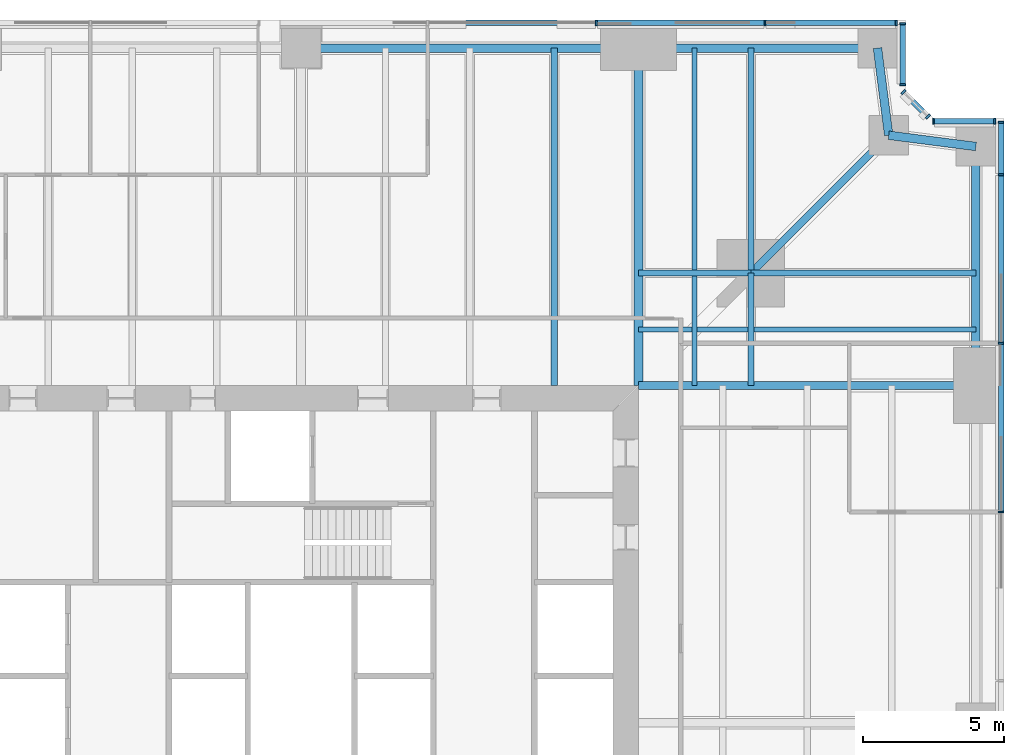
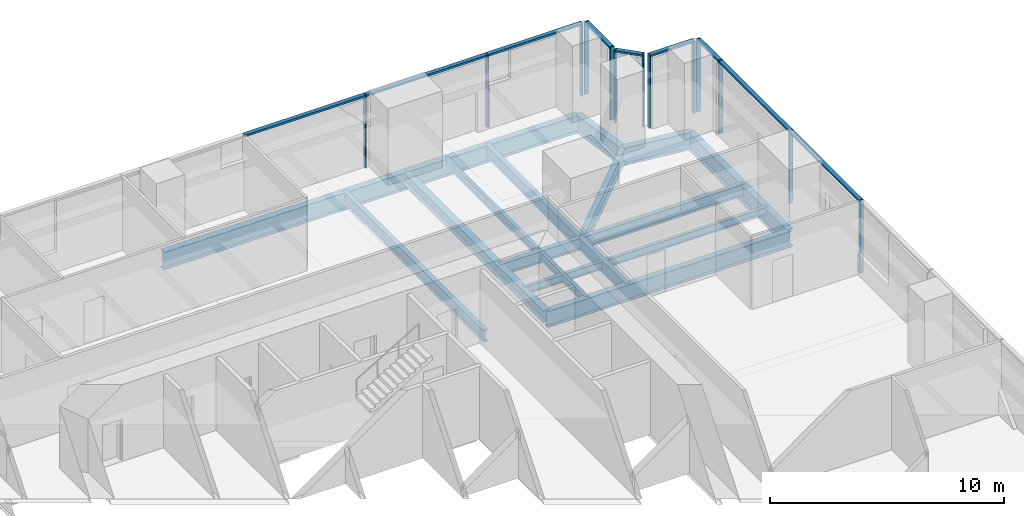
# One storey, part 7 of 14: 22 members, 18 beams, 5 elements without a shape of their own.
"""IFC4 building model written with IfcOpenShell, lengths in metres."""

from ifc_helpers import new_model, si_unit, direction, frame, origin, origin_2d, place, context, subcontext, project, spatial, rectangle, i_section, extrude, material, material_profile, profile_set, type_object, element, aggregate, save


model = new_model("IFC4")

# Units and contexts
model_context = context("Model", 3, precision=1e-05, world=origin(), true_north=direction((0.0, 1.0)))
body_context = subcontext(model_context, "Body", "Model", "MODEL_VIEW")
ifc_project = project(units=[si_unit("LENGTHUNIT", "METRE"), si_unit("AREAUNIT", "SQUARE_METRE"), si_unit("VOLUMEUNIT", "CUBIC_METRE"), si_unit("PLANEANGLEUNIT", "RADIAN"), si_unit("MASSUNIT", "GRAM", prefix="KILO")], contexts=[model_context])

# Site, building, storey
site_placement = place(None, origin())
site = spatial("IfcSite", under=ifc_project, at=site_placement, CompositionType="ELEMENT")
building_placement = place(site_placement, origin())
building = spatial("IfcBuilding", under=site, at=building_placement, Name="Fenwick Lantern Interchange", CompositionType="ELEMENT")
storey_placement = place(building_placement, frame((0.0, 0.0, 87.0)))
storey = spatial("IfcBuildingStorey", under=building, at=storey_placement, Name="L20", CompositionType="ELEMENT", Elevation=87.0)

# Beams
ifc_material_1 = material(Name="Steel ASTM A992 Grade 50", Category="steel")
ifc_material_profile_1 = material_profile(ifc_material_1, i_section(OverallWidth=0.3046875, OverallDepth=0.911865234375, WebThickness=0.015869140625, FlangeThickness=0.02392578125, at=origin_2d()), Name="W36X150")
ifc_profile_set_1 = profile_set([ifc_material_profile_1], Name="Steel ASTM A992 Grade 50")
beam_type_1 = type_object("IfcBeamType", Name="EDGE BEAM W36X150", PredefinedType="SPANDREL", material=ifc_profile_set_1)
beam_1_placement = place(storey_placement, frame((49.0, 37.0, -0.60595703125), z_axis=(0.0, 1.0, 0.0), x_axis=(-1.0, 0.0, 0.0)))
element("IfcBeam", 1, at=beam_1_placement, inside=storey, type_object=beam_type_1, Name="L20/FR/E/EB4", PredefinedType="SPANDREL", context=body_context, shape_type="SweptSolid", body=[
    extrude(i_section(OverallWidth=0.3046875, OverallDepth=0.911865234375, WebThickness=0.015869140625, FlangeThickness=0.02392578125, at=origin_2d()), origin(), (0.0, 0.0, 1.0), 8.5),
])
for number, where, z_axis, x_axis, name in (
    (2, (49.0, 45.5, -0.60595703125), (-0.991782342897, 0.127936641807, 0.0), (-0.127936641807, -0.991782342897, 0.0), "L20/FR/E/EBR1"),
    (3, (45.89990234375, 45.89990234375, -0.60595703125), (-0.127936641807, 0.991782342897, 0.0), (-0.991782342897, -0.127936641807, 0.0), "L20/FR/E/EBR2"),
):
    element("IfcBeam", number, at=place(storey_placement, frame(where, z_axis=z_axis, x_axis=x_axis)), inside=storey, type_object=beam_type_1, Name=name, PredefinedType="SPANDREL", context=body_context, shape_type="SweptSolid", body=[
        extrude(i_section(OverallWidth=0.3046875, OverallDepth=0.911865234375, WebThickness=0.015869140625, FlangeThickness=0.02392578125, at=origin_2d()), origin(), (0.0, 0.0, 1.0), 3.125732421875),
    ])
beam_2_placement = place(storey_placement, frame((45.5, 49.0, -0.60595703125), z_axis=(-1.0, 0.0, 0.0), x_axis=(0.0, -1.0, 0.0)))
element("IfcBeam", 4, at=beam_2_placement, inside=storey, type_object=beam_type_1, Name="L20/FR/N/EB1", PredefinedType="SPANDREL", context=body_context, shape_type="SweptSolid", body=[
    extrude(i_section(OverallWidth=0.3046875, OverallDepth=0.911865234375, WebThickness=0.015869140625, FlangeThickness=0.02392578125, at=origin_2d()), origin(), (0.0, 0.0, 1.0), 8.5),
])
beam_3_placement = place(storey_placement, frame((37.0, 49.0, -0.60595703125), z_axis=(-1.0, 0.0, 0.0), x_axis=(0.0, -1.0, 0.0)))
element("IfcBeam", 5, at=beam_3_placement, inside=storey, type_object=beam_type_1, Name="L20/FR/N/EB2", PredefinedType="SPANDREL", context=body_context, shape_type="SweptSolid", body=[
    extrude(i_section(OverallWidth=0.3046875, OverallDepth=0.911865234375, WebThickness=0.015869140625, FlangeThickness=0.02392578125, at=origin_2d()), origin(), (0.0, 0.0, 1.0), 12.0),
])
ifc_material_profile_2 = material_profile(ifc_material_1, i_section(OverallWidth=0.22900390625, OverallDepth=0.612060546875, WebThickness=0.011962890625, FlangeThickness=0.01953125, at=origin_2d()), Name="W24X84")
ifc_profile_set_2 = profile_set([ifc_material_profile_2], Name="Steel ASTM A992 Grade 50")
beam_type_2 = type_object("IfcBeamType", Name="FLOOR BEAM W24X84", PredefinedType="BEAM", material=ifc_profile_set_2)
beam_4_placement = place(storey_placement, frame((34.0, 49.0, -0.4560546875), z_axis=(0.0, -1.0, 0.0), x_axis=(1.0, 0.0, 0.0)))
element("IfcBeam", 6, at=beam_4_placement, inside=storey, type_object=beam_type_2, Name="L20/FR/N/R02", PredefinedType="BEAM", context=body_context, shape_type="SweptSolid", body=[
    extrude(i_section(OverallWidth=0.22900390625, OverallDepth=0.612060546875, WebThickness=0.011962890625, FlangeThickness=0.01953125, at=origin_2d()), origin(), (0.0, 0.0, 1.0), 12.0),
])
ifc_material_profile_3 = material_profile(ifc_material_1, i_section(OverallWidth=0.177734375, OverallDepth=0.406494140625, WebThickness=0.0078125, FlangeThickness=0.012939453125, at=origin_2d()), Name="W16X40")
ifc_profile_set_3 = profile_set([ifc_material_profile_3], Name="Steel ASTM A992 Grade 50")
beam_type_3 = type_object("IfcBeamType", Name="INFILL BEAM W16X40", PredefinedType="JOIST", material=ifc_profile_set_3)
beam_5_placement = place(storey_placement, frame((39.0, 49.0, -0.353271484375), z_axis=(0.0, -1.0, 0.0), x_axis=(1.0, 0.0, 0.0)))
element("IfcBeam", 7, at=beam_5_placement, inside=storey, type_object=beam_type_3, Name="L20/FR/N/J1", PredefinedType="JOIST", context=body_context, shape_type="SweptSolid", body=[
    extrude(i_section(OverallWidth=0.177734375, OverallDepth=0.406494140625, WebThickness=0.0078125, FlangeThickness=0.012939453125, at=origin_2d()), origin(), (0.0, 0.0, 1.0), 7.885498046875),
])
beam_6_placement = place(storey_placement, frame((39.0, 40.885498046875, -0.353271484375), z_axis=(0.0, -1.0, 0.0), x_axis=(1.0, 0.0, 0.0)))
element("IfcBeam", 8, at=beam_6_placement, inside=storey, type_object=beam_type_3, Name="L20/FR/N/J2", PredefinedType="JOIST", context=body_context, shape_type="SweptSolid", body=[
    extrude(i_section(OverallWidth=0.177734375, OverallDepth=0.406494140625, WebThickness=0.0078125, FlangeThickness=0.012939453125, at=origin_2d()), origin(), (0.0, 0.0, 1.0), 3.885498046875),
])
beam_7_placement = place(storey_placement, frame((49.0, 39.0, -0.353271484375), z_axis=(-1.0, 0.0, 0.0), x_axis=(0.0, -1.0, 0.0)))
element("IfcBeam", 9, at=beam_7_placement, inside=storey, type_object=beam_type_3, Name="L20/FR/N/J3", PredefinedType="JOIST", context=body_context, shape_type="SweptSolid", body=[
    extrude(i_section(OverallWidth=0.177734375, OverallDepth=0.406494140625, WebThickness=0.0078125, FlangeThickness=0.012939453125, at=origin_2d()), origin(), (0.0, 0.0, 1.0), 7.885498046875),
])
beam_8_placement = place(storey_placement, frame((40.885498046875, 39.0, -0.353271484375), z_axis=(-1.0, 0.0, 0.0), x_axis=(0.0, -1.0, 0.0)))
element("IfcBeam", 10, at=beam_8_placement, inside=storey, type_object=beam_type_3, Name="L20/FR/N/J4", PredefinedType="JOIST", context=body_context, shape_type="SweptSolid", body=[
    extrude(i_section(OverallWidth=0.177734375, OverallDepth=0.406494140625, WebThickness=0.0078125, FlangeThickness=0.012939453125, at=origin_2d()), origin(), (0.0, 0.0, 1.0), 1.796630859375),
])
beam_9_placement = place(storey_placement, frame((38.9111328125, 39.0, -0.353271484375), z_axis=(-1.0, 0.0, 0.0), x_axis=(0.0, -1.0, 0.0)))
element("IfcBeam", 11, at=beam_9_placement, inside=storey, type_object=beam_type_3, Name="L20/FR/N/J5", PredefinedType="JOIST", context=body_context, shape_type="SweptSolid", body=[
    extrude(i_section(OverallWidth=0.177734375, OverallDepth=0.406494140625, WebThickness=0.0078125, FlangeThickness=0.012939453125, at=origin_2d()), origin(), (0.0, 0.0, 1.0), 1.9111328125),
])
ifc_material_profile_4 = material_profile(ifc_material_1, i_section(OverallWidth=0.22900390625, OverallDepth=0.612060546875, WebThickness=0.011962890625, FlangeThickness=0.01953125, at=origin_2d()), Name="W24X84")
ifc_profile_set_4 = profile_set([ifc_material_profile_4], Name="Steel ASTM A992 Grade 50")
beam_type_4 = type_object("IfcBeamType", Name="MEGA COLUMN BEAM W24X84", PredefinedType="BEAM", material=ifc_profile_set_4)
for number, where, z_axis, x_axis, name in (
    (12, (41.0, 41.0, -0.4560546875), (0.0, 1.0, 0.0), (-1.0, 0.0, 0.0), "L20/FR/N/MB1"),
    (13, (41.0, 41.0, -0.4560546875), (1.0, 0.0, 0.0), (0.0, 1.0, 0.0), "L20/FR/N/MB2"),
):
    element("IfcBeam", number, at=place(storey_placement, frame(where, z_axis=z_axis, x_axis=x_axis)), inside=storey, type_object=beam_type_4, Name=name, PredefinedType="BEAM", context=body_context, shape_type="SweptSolid", body=[
        extrude(i_section(OverallWidth=0.22900390625, OverallDepth=0.612060546875, WebThickness=0.011962890625, FlangeThickness=0.01953125, at=origin_2d()), origin(), (0.0, 0.0, 1.0), 8.0),
    ])
for number, where, z_axis, x_axis, name in (
    (14, (41.0, 41.0, -0.4560546875), (-1.0, 0.0, 0.0), (0.0, -1.0, 0.0), "L20/FR/N/MB3"),
    (15, (41.0, 41.0, -0.4560546875), (0.0, -1.0, 0.0), (1.0, 0.0, 0.0), "L20/FR/N/MB4"),
):
    element("IfcBeam", number, at=place(storey_placement, frame(where, z_axis=z_axis, x_axis=x_axis)), inside=storey, type_object=beam_type_4, Name=name, PredefinedType="BEAM", context=body_context, shape_type="SweptSolid", body=[
        extrude(i_section(OverallWidth=0.22900390625, OverallDepth=0.612060546875, WebThickness=0.011962890625, FlangeThickness=0.01953125, at=origin_2d()), origin(), (0.0, 0.0, 1.0), 4.0),
    ])
ifc_material_profile_5 = material_profile(ifc_material_1, i_section(OverallWidth=0.32763671875, OverallDepth=0.622314453125, WebThickness=0.015380859375, FlangeThickness=0.0244140625, at=origin_2d()), Name="W24X131")
ifc_profile_set_5 = profile_set([ifc_material_profile_5], Name="Steel ASTM A992 Grade 50")
beam_type_5 = type_object("IfcBeamType", Name="MOMENT-CONNECTED GIRDER W24X131", PredefinedType="BEAM", material=ifc_profile_set_5)
beam_10_placement = place(storey_placement, frame((37.0, 49.0, -0.461181640625), z_axis=(0.0, -1.0, 0.0), x_axis=(1.0, 0.0, 0.0)))
element("IfcBeam", 16, at=beam_10_placement, inside=storey, type_object=beam_type_5, Name="L20/FR/N/R01", PredefinedType="BEAM", context=body_context, shape_type="SweptSolid", body=[
    extrude(i_section(OverallWidth=0.32763671875, OverallDepth=0.622314453125, WebThickness=0.015380859375, FlangeThickness=0.0244140625, at=origin_2d()), origin(), (0.0, 0.0, 1.0), 12.0),
])
ifc_material_profile_6 = material_profile(ifc_material_1, i_section(OverallWidth=0.2919921875, OverallDepth=0.845703125, WebThickness=0.015380859375, FlangeThickness=0.0244140625, at=origin_2d()), Name="W33X141")
ifc_profile_set_6 = profile_set([ifc_material_profile_6], Name="Steel ASTM A992 Grade 50")
beam_type_6 = type_object("IfcBeamType", Name="MOMENT-CONNECTED GIRDER W33X141", PredefinedType="BEAM", material=ifc_profile_set_6)
beam_11_placement = place(storey_placement, frame((49.0, 37.0, -0.572998046875), z_axis=(-1.0, 0.0, 0.0), x_axis=(0.0, -1.0, 0.0)))
element("IfcBeam", 17, at=beam_11_placement, inside=storey, type_object=beam_type_6, Name="L20/FR/E/R03", PredefinedType="BEAM", context=body_context, shape_type="SweptSolid", body=[
    extrude(i_section(OverallWidth=0.2919921875, OverallDepth=0.845703125, WebThickness=0.015380859375, FlangeThickness=0.0244140625, at=origin_2d()), origin(), (0.0, 0.0, 1.0), 12.0),
])
ifc_material_profile_7 = material_profile(ifc_material_1, i_section(OverallWidth=0.2666015625, OverallDepth=0.7568359375, WebThickness=0.013916015625, FlangeThickness=0.019287109375, at=origin_2d()), Name="W30X108")
ifc_profile_set_7 = profile_set([ifc_material_profile_7], Name="Steel ASTM A992 Grade 50")
beam_type_7 = type_object("IfcBeamType", Name="NOTCH BEAM W30X108", PredefinedType="BEAM", material=ifc_profile_set_7)
beam_12_placement = place(storey_placement, frame((41.0, 41.0, -0.528564453125), z_axis=(0.707106781187, 0.707106781187, 0.0), x_axis=(-0.707106781187, 0.707106781187, 0.0)))
element("IfcBeam", 18, at=beam_12_placement, inside=storey, type_object=beam_type_7, Name="L20/FR/N/TG", PredefinedType="BEAM", context=body_context, shape_type="SweptSolid", body=[
    extrude(i_section(OverallWidth=0.2666015625, OverallDepth=0.7568359375, WebThickness=0.013916015625, FlangeThickness=0.019287109375, at=origin_2d()), origin(), (0.0, 0.0, 1.0), 6.929443359375),
])

# Curtain wall, members
ifc_material_2 = material(Name="Aluminium curtain wall frame", Category="aluminium")
curtain_wall_type = type_object("IfcCurtainWallType", Name="OFFICE CURTAIN WALL", PredefinedType="USERDEFINED", material=ifc_material_2)
curtain_wall_1_placement = place(storey_placement, origin())
curtain_wall_1 = element("IfcCurtainWall", 19, at=curtain_wall_1_placement, inside=storey, type_object=curtain_wall_type, Name="Office curtain wall 05", ObjectType="OFFICE CURTAIN WALL", PredefinedType="USERDEFINED")
ifc_material_3 = material(Name="Aluminium extrusion", Category="aluminium")
ifc_material_profile_8 = material_profile(ifc_material_3, rectangle(XDim=0.199951171875, YDim=0.06494140625, at=origin_2d()), Name="OFFICE CURTAIN WALL MULLION 65 X 200")
ifc_profile_set_8 = profile_set([ifc_material_profile_8], Name="Aluminium extrusion")
member_type_1 = type_object("IfcMemberType", Name="OFFICE CURTAIN WALL MULLION 65 X 200", PredefinedType="MULLION", material=ifc_profile_set_8)
member_1_placement = place(storey_placement, frame((49.89990234375, 32.5, 0.0), z_axis=(0.0, 0.0, 1.0), x_axis=(-1.0, 0.0, 0.0)))
member_1 = element("IfcMember", 20, at=member_1_placement, type_object=member_type_1, Name="L20/CW/05/M05", PredefinedType="MULLION", context=body_context, shape_type="SweptSolid", body=[
    extrude(rectangle(XDim=0.199951171875, YDim=0.06494140625, at=origin_2d()), origin(), (0.0, 0.0, 1.0), 3.800048828125),
])
member_2_placement = place(storey_placement, frame((49.89990234375, 38.5, 0.0), z_axis=(0.0, 0.0, 1.0), x_axis=(-1.0, 0.0, 0.0)))
member_2 = element("IfcMember", 21, at=member_2_placement, type_object=member_type_1, Name="L20/CW/05/M06", PredefinedType="MULLION", context=body_context, shape_type="SweptSolid", body=[
    extrude(rectangle(XDim=0.199951171875, YDim=0.06494140625, at=origin_2d()), origin(), (0.0, 0.0, 1.0), 3.800048828125),
])
member_3_placement = place(storey_placement, frame((49.89990234375, 44.5, 0.0), z_axis=(0.0, 0.0, 1.0), x_axis=(-1.0, 0.0, 0.0)))
member_3 = element("IfcMember", 22, at=member_3_placement, type_object=member_type_1, Name="L20/CW/05/M07", PredefinedType="MULLION", context=body_context, shape_type="SweptSolid", body=[
    extrude(rectangle(XDim=0.199951171875, YDim=0.06494140625, at=origin_2d()), origin(), (0.0, 0.0, 1.0), 3.800048828125),
])
member_4_placement = place(storey_placement, frame((49.89990234375, 46.367431640625, 0.0), z_axis=(0.0, 0.0, 1.0), x_axis=(-1.0, 0.0, 0.0)))
member_4 = element("IfcMember", 23, at=member_4_placement, type_object=member_type_1, Name="L20/CW/05/M08", PredefinedType="MULLION", context=body_context, shape_type="SweptSolid", body=[
    extrude(rectangle(XDim=0.199951171875, YDim=0.06494140625, at=origin_2d()), origin(), (0.0, 0.0, 1.0), 3.800048828125),
])

curtain_wall_2_placement = place(storey_placement, origin())
curtain_wall_2 = element("IfcCurtainWall", 24, at=curtain_wall_2_placement, inside=storey, type_object=curtain_wall_type, Name="Office curtain wall 06", ObjectType="OFFICE CURTAIN WALL", PredefinedType="USERDEFINED")
member_5_placement = place(storey_placement, frame((49.66748046875, 46.39990234375, 0.0), z_axis=(0.0, 0.0, 1.0), x_axis=(0.0, -1.0, 0.0)))
member_5 = element("IfcMember", 25, at=member_5_placement, type_object=member_type_1, Name="L20/CW/06/M00", PredefinedType="MULLION", context=body_context, shape_type="SweptSolid", body=[
    extrude(rectangle(XDim=0.199951171875, YDim=0.06494140625, at=origin_2d()), origin(), (0.0, 0.0, 1.0), 3.800048828125),
])
member_6_placement = place(storey_placement, frame((47.490966796875, 46.39990234375, 0.0), z_axis=(0.0, 0.0, 1.0), x_axis=(0.0, -1.0, 0.0)))
member_6 = element("IfcMember", 26, at=member_6_placement, type_object=member_type_1, Name="L20/CW/06/M01", PredefinedType="MULLION", context=body_context, shape_type="SweptSolid", body=[
    extrude(rectangle(XDim=0.199951171875, YDim=0.06494140625, at=origin_2d()), origin(), (0.0, 0.0, 1.0), 3.800048828125),
])

curtain_wall_3_placement = place(storey_placement, origin())
curtain_wall_3 = element("IfcCurtainWall", 27, at=curtain_wall_3_placement, inside=storey, type_object=curtain_wall_type, Name="Office curtain wall 07", ObjectType="OFFICE CURTAIN WALL", PredefinedType="USERDEFINED")
member_7_placement = place(storey_placement, frame((47.294189453125, 46.564453125, 0.0), z_axis=(0.0, 0.0, 1.0), x_axis=(-0.707106781187, -0.707106781187, 0.0)))
member_7 = element("IfcMember", 28, at=member_7_placement, type_object=member_type_1, Name="L20/CW/07/M00", PredefinedType="MULLION", context=body_context, shape_type="SweptSolid", body=[
    extrude(rectangle(XDim=0.199951171875, YDim=0.06494140625, at=origin_2d()), origin(), (0.0, 0.0, 1.0), 3.800048828125),
])
member_8_placement = place(storey_placement, frame((46.423095703125, 47.435546875, 0.0), z_axis=(0.0, 0.0, 1.0), x_axis=(-0.707106781187, -0.707106781187, 0.0)))
member_8 = element("IfcMember", 29, at=member_8_placement, type_object=member_type_1, Name="L20/CW/07/M01", PredefinedType="MULLION", context=body_context, shape_type="SweptSolid", body=[
    extrude(rectangle(XDim=0.199951171875, YDim=0.06494140625, at=origin_2d()), origin(), (0.0, 0.0, 1.0), 3.800048828125),
])

curtain_wall_4_placement = place(storey_placement, origin())
curtain_wall_4 = element("IfcCurtainWall", 30, at=curtain_wall_4_placement, inside=storey, type_object=curtain_wall_type, Name="Office curtain wall 08", ObjectType="OFFICE CURTAIN WALL", PredefinedType="USERDEFINED")
member_9_placement = place(storey_placement, frame((46.39990234375, 47.691162109375, 0.0), z_axis=(0.0, 0.0, 1.0), x_axis=(-1.0, 0.0, 0.0)))
member_9 = element("IfcMember", 31, at=member_9_placement, type_object=member_type_1, Name="L20/CW/08/M00", PredefinedType="MULLION", context=body_context, shape_type="SweptSolid", body=[
    extrude(rectangle(XDim=0.199951171875, YDim=0.06494140625, at=origin_2d()), origin(), (0.0, 0.0, 1.0), 3.800048828125),
])
member_10_placement = place(storey_placement, frame((46.39990234375, 49.867431640625, 0.0), z_axis=(0.0, 0.0, 1.0), x_axis=(-1.0, 0.0, 0.0)))
member_10 = element("IfcMember", 32, at=member_10_placement, type_object=member_type_1, Name="L20/CW/08/M01", PredefinedType="MULLION", context=body_context, shape_type="SweptSolid", body=[
    extrude(rectangle(XDim=0.199951171875, YDim=0.06494140625, at=origin_2d()), origin(), (0.0, 0.0, 1.0), 3.800048828125),
])

curtain_wall_5_placement = place(storey_placement, origin())
curtain_wall_5 = element("IfcCurtainWall", 33, at=curtain_wall_5_placement, inside=storey, type_object=curtain_wall_type, Name="Office curtain wall 09", ObjectType="OFFICE CURTAIN WALL", PredefinedType="USERDEFINED")
member_11_placement = place(storey_placement, frame((46.16748046875, 49.89990234375, 0.0), z_axis=(0.0, 0.0, 1.0), x_axis=(0.0, -1.0, 0.0)))
member_11 = element("IfcMember", 34, at=member_11_placement, type_object=member_type_1, Name="L20/CW/09/M00", PredefinedType="MULLION", context=body_context, shape_type="SweptSolid", body=[
    extrude(rectangle(XDim=0.199951171875, YDim=0.06494140625, at=origin_2d()), origin(), (0.0, 0.0, 1.0), 3.800048828125),
])
member_12_placement = place(storey_placement, frame((41.5, 49.89990234375, 0.0), z_axis=(0.0, 0.0, 1.0), x_axis=(0.0, -1.0, 0.0)))
member_12 = element("IfcMember", 35, at=member_12_placement, type_object=member_type_1, Name="L20/CW/09/M01", PredefinedType="MULLION", context=body_context, shape_type="SweptSolid", body=[
    extrude(rectangle(XDim=0.199951171875, YDim=0.06494140625, at=origin_2d()), origin(), (0.0, 0.0, 1.0), 3.800048828125),
])
member_13_placement = place(storey_placement, frame((35.5, 49.89990234375, 0.0), z_axis=(0.0, 0.0, 1.0), x_axis=(0.0, -1.0, 0.0)))
member_13 = element("IfcMember", 36, at=member_13_placement, type_object=member_type_1, Name="L20/CW/09/M02", PredefinedType="MULLION", context=body_context, shape_type="SweptSolid", body=[
    extrude(rectangle(XDim=0.199951171875, YDim=0.06494140625, at=origin_2d()), origin(), (0.0, 0.0, 1.0), 3.800048828125),
])

# Member
ifc_material_profile_9 = material_profile(ifc_material_3, rectangle(XDim=0.199951171875, YDim=0.10009765625, at=origin_2d()), Name="OFFICE CURTAIN WALL TRANSOM 100 X 200")
ifc_profile_set_9 = profile_set([ifc_material_profile_9], Name="Aluminium extrusion")
member_type_2 = type_object("IfcMemberType", Name="OFFICE CURTAIN WALL TRANSOM 100 X 200", PredefinedType="MULLION", material=ifc_profile_set_9)
member_14_placement = place(storey_placement, frame((49.89990234375, 32.532470703125, 3.75), z_axis=(0.0, 1.0, 0.0), x_axis=(-1.0, 0.0, 0.0)))
member_14 = element("IfcMember", 37, at=member_14_placement, type_object=member_type_2, Name="L20/CW/05/T05", PredefinedType="MULLION", context=body_context, shape_type="SweptSolid", body=[
    extrude(rectangle(XDim=0.199951171875, YDim=0.10009765625, at=origin_2d()), origin(), (0.0, 0.0, 1.0), 5.93505859375),
])

member_15_placement = place(storey_placement, frame((49.89990234375, 38.532470703125, 3.75), z_axis=(0.0, 1.0, 0.0), x_axis=(-1.0, 0.0, 0.0)))
member_15 = element("IfcMember", 38, at=member_15_placement, type_object=member_type_2, Name="L20/CW/05/T06", PredefinedType="MULLION", context=body_context, shape_type="SweptSolid", body=[
    extrude(rectangle(XDim=0.199951171875, YDim=0.10009765625, at=origin_2d()), origin(), (0.0, 0.0, 1.0), 5.93505859375),
])

member_16_placement = place(storey_placement, frame((49.89990234375, 44.532470703125, 3.75), z_axis=(0.0, 1.0, 0.0), x_axis=(-1.0, 0.0, 0.0)))
member_16 = element("IfcMember", 39, at=member_16_placement, type_object=member_type_2, Name="L20/CW/05/T07", PredefinedType="MULLION", context=body_context, shape_type="SweptSolid", body=[
    extrude(rectangle(XDim=0.199951171875, YDim=0.10009765625, at=origin_2d()), origin(), (0.0, 0.0, 1.0), 1.802490234375),
])

aggregate(curtain_wall_1, [member_1, member_2, member_3, member_4, member_14, member_15, member_16])

member_17_placement = place(storey_placement, frame((49.635009765625, 46.39990234375, 3.75), z_axis=(-1.0, 0.0, 0.0), x_axis=(0.0, -1.0, 0.0)))
member_17 = element("IfcMember", 40, at=member_17_placement, type_object=member_type_2, Name="L20/CW/06/T00", PredefinedType="MULLION", context=body_context, shape_type="SweptSolid", body=[
    extrude(rectangle(XDim=0.199951171875, YDim=0.10009765625, at=origin_2d()), origin(), (0.0, 0.0, 1.0), 2.111328125),
])

aggregate(curtain_wall_2, [member_5, member_6, member_17])

member_18_placement = place(storey_placement, frame((47.271240234375, 46.58740234375, 3.75), z_axis=(-0.707106781187, 0.707106781187, 0.0), x_axis=(-0.707106781187, -0.707106781187, 0.0)))
member_18 = element("IfcMember", 41, at=member_18_placement, type_object=member_type_2, Name="L20/CW/07/T00", PredefinedType="MULLION", context=body_context, shape_type="SweptSolid", body=[
    extrude(rectangle(XDim=0.199951171875, YDim=0.10009765625, at=origin_2d()), origin(), (0.0, 0.0, 1.0), 1.1669921875),
])

aggregate(curtain_wall_3, [member_7, member_8, member_18])

member_19_placement = place(storey_placement, frame((46.39990234375, 47.7236328125, 3.75), z_axis=(0.0, 1.0, 0.0), x_axis=(-1.0, 0.0, 0.0)))
member_19 = element("IfcMember", 42, at=member_19_placement, type_object=member_type_2, Name="L20/CW/08/T00", PredefinedType="MULLION", context=body_context, shape_type="SweptSolid", body=[
    extrude(rectangle(XDim=0.199951171875, YDim=0.10009765625, at=origin_2d()), origin(), (0.0, 0.0, 1.0), 2.111328125),
])

aggregate(curtain_wall_4, [member_9, member_10, member_19])

member_20_placement = place(storey_placement, frame((46.135009765625, 49.89990234375, 3.75), z_axis=(-1.0, 0.0, 0.0), x_axis=(0.0, -1.0, 0.0)))
member_20 = element("IfcMember", 43, at=member_20_placement, type_object=member_type_2, Name="L20/CW/09/T00", PredefinedType="MULLION", context=body_context, shape_type="SweptSolid", body=[
    extrude(rectangle(XDim=0.199951171875, YDim=0.10009765625, at=origin_2d()), origin(), (0.0, 0.0, 1.0), 4.6025390625),
])

member_21_placement = place(storey_placement, frame((41.467529296875, 49.89990234375, 3.75), z_axis=(-1.0, 0.0, 0.0), x_axis=(0.0, -1.0, 0.0)))
member_21 = element("IfcMember", 44, at=member_21_placement, type_object=member_type_2, Name="L20/CW/09/T01", PredefinedType="MULLION", context=body_context, shape_type="SweptSolid", body=[
    extrude(rectangle(XDim=0.199951171875, YDim=0.10009765625, at=origin_2d()), origin(), (0.0, 0.0, 1.0), 5.93505859375),
])

member_22_placement = place(storey_placement, frame((35.467529296875, 49.89990234375, 3.75), z_axis=(-1.0, 0.0, 0.0), x_axis=(0.0, -1.0, 0.0)))
member_22 = element("IfcMember", 45, at=member_22_placement, type_object=member_type_2, Name="L20/CW/09/T02", PredefinedType="MULLION", context=body_context, shape_type="SweptSolid", body=[
    extrude(rectangle(XDim=0.199951171875, YDim=0.10009765625, at=origin_2d()), origin(), (0.0, 0.0, 1.0), 5.93505859375),
])

aggregate(curtain_wall_5, [member_11, member_12, member_13, member_20, member_21, member_22])

save(model, "model.ifc")
